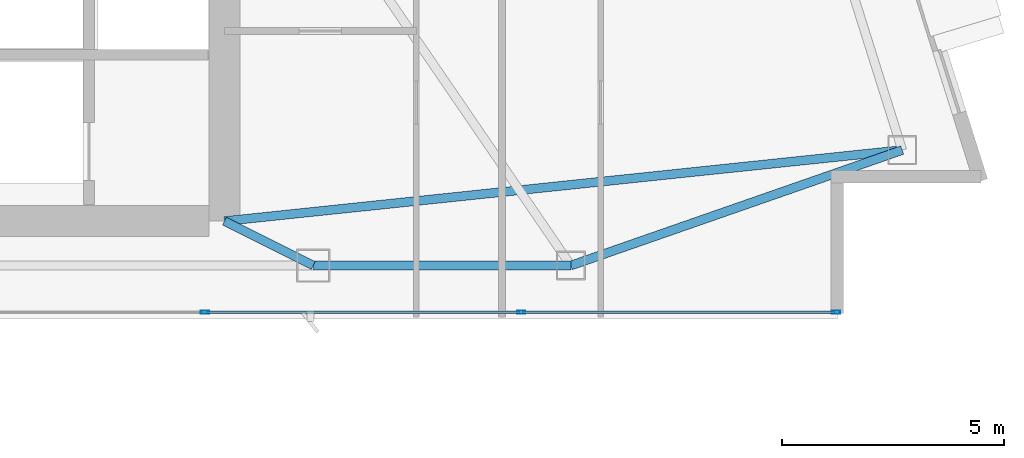
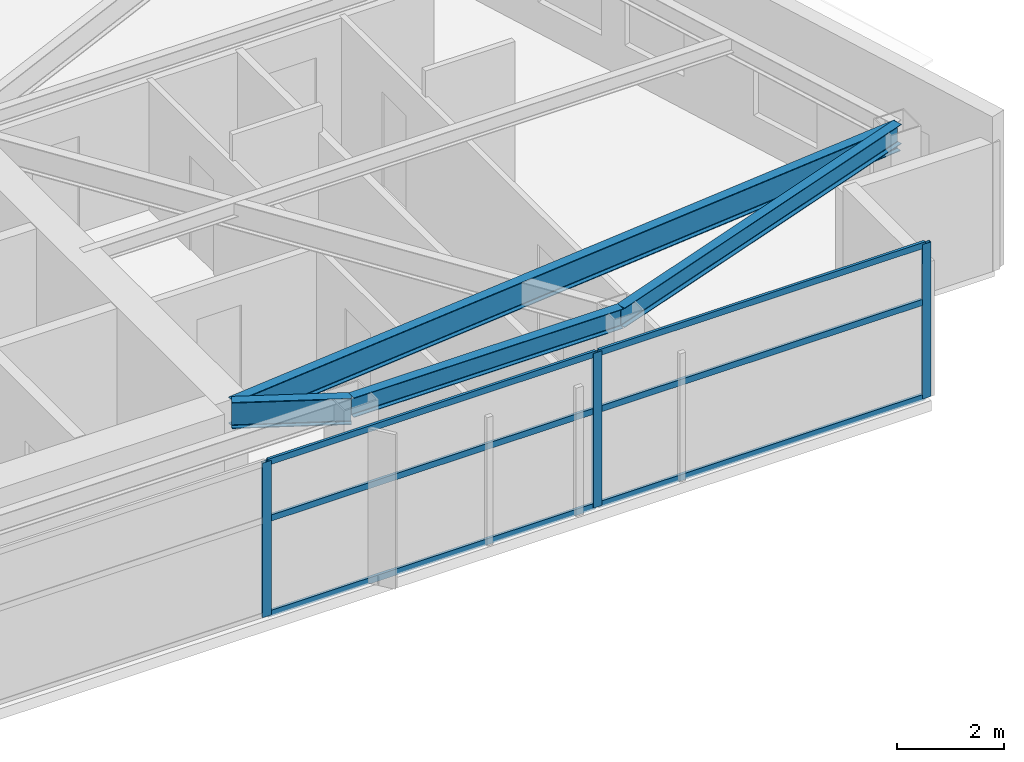
# One storey, part 13 of 27: 9 members, 4 beams, 1 element without a shape of its own.
"""IFC4 building model written with IfcOpenShell, lengths in metres."""

import ifcopenshell
import ifcopenshell.guid

model = None  # the IFC model being written
_history = None  # IfcOwnerHistory: only IFC2X3 demands one
_inside = {}  # id of a spatial element -> (the spatial element, [elements in it])
_under = {}  # id of a project, library or spatial element -> (it, [spatial elements below it])
_declared = {}  # id of a project -> (the project, [libraries it declares])
_typed = {}  # id of a type object -> (the type object, [elements of that type])
_made_of = {}  # id of a material, layer set ... -> (it, [elements and type objects made of it])


def new_model(schema):
    """Start an empty IFC model of exactly this schema.

    Asked for "IFC4X3", IfcOpenShell would pick the latest addendum, in which some entities
    have other attributes; the version numbers below select the first issue.
    IFC2X3 requires an IfcOwnerHistory on every rooted entity: one is made here for all.
    """
    global model, _history
    if schema == "IFC4X3":
        model = ifcopenshell.file(schema_version=(4, 3, 0, 0))
    else:
        model = ifcopenshell.file(schema=schema)
    _inside.clear()
    _under.clear()
    _declared.clear()
    _typed.clear()
    _made_of.clear()
    _history = None
    if model.schema == "IFC2X3":
        org = make("IfcOrganization", Name="unknown")
        user = make(
            "IfcPersonAndOrganization",
            ThePerson=make("IfcPerson", FamilyName="unknown"),
            TheOrganization=org,
        )
        app = make(
            "IfcApplication",
            ApplicationDeveloper=org,
            Version="unknown",
            ApplicationFullName="unknown",
            ApplicationIdentifier="unknown",
        )
        _history = make(
            "IfcOwnerHistory",
            OwningUser=user,
            OwningApplication=app,
            ChangeAction="ADDED",
            CreationDate=0,
        )
    return model


def make(cls, **values):
    """One entity of the class cls with the attributes given. An attribute that is None is left unset."""
    return model.create_entity(
        cls, **{name: value for name, value in values.items() if value is not None}
    )


def rooted(cls, **values):
    """An entity with a GlobalId (a new one), such as an element, a storey or a relation."""
    return make(cls, GlobalId=ifcopenshell.guid.new(), OwnerHistory=_history, **values)


def si_unit(unit_type, name, prefix=None):
    """IfcSIUnit, for example si_unit("LENGTHUNIT", "METRE", prefix="MILLI")."""
    return make("IfcSIUnit", UnitType=unit_type, Prefix=prefix, Name=name)


def assignment(units):
    """IfcUnitAssignment: the units of a project."""
    return None if units is None else make("IfcUnitAssignment", Units=units)


def point(xyz):
    """IfcCartesianPoint."""
    return None if xyz is None else make("IfcCartesianPoint", Coordinates=xyz)


def direction(xyz):
    """IfcDirection."""
    return None if xyz is None else make("IfcDirection", DirectionRatios=xyz)


def frame(location, z_axis=None, x_axis=None):
    """IfcAxis2Placement3D, a coordinate frame: its origin and axes. An axis left out is left unset."""
    return make(
        "IfcAxis2Placement3D",
        Location=point(location),
        Axis=direction(z_axis),
        RefDirection=direction(x_axis),
    )


def frame_2d(location, x_axis=None):
    """IfcAxis2Placement2D, a coordinate frame in the plane: its origin and x axis."""
    return make(
        "IfcAxis2Placement2D", Location=point(location), RefDirection=direction(x_axis)
    )


def origin():
    """The frame at (0, 0, 0) with its axes left unset."""
    return frame((0.0, 0.0, 0.0))


def origin_2d():
    """The frame at (0, 0) in the plane with its x axis left unset."""
    return frame_2d((0.0, 0.0))


def place(relative_to, where):
    """IfcLocalPlacement: puts the frame where relative to a parent placement (None: the world)."""
    return make(
        "IfcLocalPlacement", PlacementRelTo=relative_to, RelativePlacement=where
    )


def context(
    kind, dimensions, precision=None, world=None, true_north=None, identifier=None
):
    """IfcGeometricRepresentationContext, for example the 3D "Model" context."""
    return make(
        "IfcGeometricRepresentationContext",
        ContextIdentifier=identifier,
        ContextType=kind,
        CoordinateSpaceDimension=dimensions,
        Precision=precision,
        WorldCoordinateSystem=world,
        TrueNorth=true_north,
    )


def subcontext(parent, identifier, kind, view, scale=None):
    """IfcGeometricRepresentationSubContext, for example "Body" below "Model"."""
    return make(
        "IfcGeometricRepresentationSubContext",
        ContextIdentifier=identifier,
        ContextType=kind,
        ParentContext=parent,
        TargetScale=scale,
        TargetView=view,
    )


def project(units=None, contexts=None):
    """IfcProject with its units and contexts."""
    return rooted(
        "IfcProject",
        Name="project",
        RepresentationContexts=contexts,
        UnitsInContext=assignment(units),
    )


def spatial(cls, under=None, at=None, **own):
    """A site, building, storey or space (cls), placed at a placement, below another one or the project."""
    s = rooted(cls, ObjectPlacement=at, **own)
    if under is not None:
        _under.setdefault(under.id(), (under, []))[1].append(s)
    return s


def profile(cls, at=None, kind="AREA", **sizes):
    """A parametric profile (cls). Its sizes go by their IFC names, for example OverallWidth=200.0."""
    return make(cls, ProfileType=kind, Position=at, **sizes)


def hollow_rectangle(**sizes):
    """IfcRectangleHollowProfileDef."""
    return profile("IfcRectangleHollowProfileDef", **sizes)


def i_section(**sizes):
    """IfcIShapeProfileDef."""
    return profile("IfcIShapeProfileDef", **sizes)


def extrude(swept, where, along, depth):
    """IfcExtrudedAreaSolid: the profile swept, set in the frame where, extruded along a direction by depth."""
    return make(
        "IfcExtrudedAreaSolid",
        SweptArea=swept,
        Position=where,
        ExtrudedDirection=direction(along),
        Depth=depth,
    )


def shape(context_of_items, identifier, shape_type, items):
    """IfcShapeRepresentation: the items that make up one representation, for example the "Body"."""
    return make(
        "IfcShapeRepresentation",
        ContextOfItems=context_of_items,
        RepresentationIdentifier=identifier,
        RepresentationType=shape_type,
        Items=items,
    )


def material(Name=None, Category=None):
    """IfcMaterial."""
    return make("IfcMaterial", Name=Name, Category=Category)


def layer(
    of_material, thickness, ventilated=None, Name=None, Category=None, Priority=None
):
    """IfcMaterialLayer: one layer of a wall or slab, of a material (None: an air gap)."""
    return make(
        "IfcMaterialLayer",
        Material=of_material,
        LayerThickness=thickness,
        IsVentilated=ventilated,
        Name=Name,
        Category=Category,
        Priority=Priority,
    )


def layer_set(layers, Name=None):
    """IfcMaterialLayerSet."""
    return make("IfcMaterialLayerSet", MaterialLayers=layers, LayerSetName=Name)


def material_profile(
    of_material, cross_section, Name=None, Category=None, Priority=None
):
    """IfcMaterialProfile: a cross section and its material."""
    return make(
        "IfcMaterialProfile",
        Name=Name,
        Material=of_material,
        Profile=cross_section,
        Priority=Priority,
        Category=Category,
    )


def profile_set(profiles, Name=None, composite=None):
    """IfcMaterialProfileSet."""
    return make(
        "IfcMaterialProfileSet",
        Name=Name,
        MaterialProfiles=profiles,
        CompositeProfile=composite,
    )


def made_of(thing, what):
    """Note that an element or type object is made of a material, layer set ...; save() writes the relation."""
    if what is not None:
        _made_of.setdefault(what.id(), (what, []))[1].append(thing)
    return thing


def type_object(cls, material=None, **own):
    """A type object (cls), such as IfcWallType, which elements share."""
    return made_of(rooted(cls, **own), material)


def element(
    cls,
    number,
    at=None,
    inside=None,
    cuts=None,
    type_object=None,
    material=None,
    context=None,
    identifier="Body",
    shape_type=None,
    held_by="IfcProductDefinitionShape",
    body=None,
    shapes=None,
    **own,
):
    """One element of the class cls, such as IfcWall. Its Tag is "e" and its number.

    at: its placement. inside: the storey or other place that contains it. cuts: it is an
    opening in that element (IfcRelVoidsElement). A single representation is given by context,
    identifier, shape_type and body (its items); several are given by shapes. held_by: the class
    of the entity that holds the representations. save() writes the other relations.
    """
    e = rooted(cls, Tag="e%d" % number, ObjectPlacement=at, **own)
    if body is not None:
        shapes = [shape(context, identifier, shape_type, body)]
    if shapes is not None:
        e.Representation = make(held_by, Representations=shapes)
    if inside is not None:
        _inside.setdefault(inside.id(), (inside, []))[1].append(e)
    if cuts is not None:
        rooted(
            "IfcRelVoidsElement", RelatingBuildingElement=cuts, RelatedOpeningElement=e
        )
    if type_object is not None:
        _typed.setdefault(type_object.id(), (type_object, []))[1].append(e)
    return made_of(e, material)


def aggregate(whole, parts):
    """IfcRelAggregates: a whole, such as a stair, and the parts it consists of."""
    return rooted("IfcRelAggregates", RelatingObject=whole, RelatedObjects=parts)


def save(model, path):
    """Write the relations noted so far, then the file.

    IfcRelAggregates (storeys below a building ...), IfcRelContainedInSpatialStructure (elements
    in a storey), IfcRelDefinesByType, IfcRelAssociatesMaterial and IfcRelDeclares: one each for
    every whole, place, type object, material and project.
    """
    for whole, parts in _under.values():
        aggregate(whole, parts)
    for where, things in _inside.values():
        rooted(
            "IfcRelContainedInSpatialStructure",
            RelatedElements=things,
            RelatingStructure=where,
        )
    for kind, things in _typed.values():
        rooted("IfcRelDefinesByType", RelatedObjects=things, RelatingType=kind)
    for what, things in _made_of.values():
        rooted("IfcRelAssociatesMaterial", RelatedObjects=things, RelatingMaterial=what)
    for by, libraries in _declared.values():
        rooted("IfcRelDeclares", RelatingContext=by, RelatedDefinitions=libraries)
    model.write(path)


model = new_model("IFC4")

# Units and contexts
model_context = context("Model", 3, precision=1e-05, world=origin(), true_north=direction((0.0, 1.0)))
body_context = subcontext(model_context, "Body", "Model", "MODEL_VIEW")
ifc_project = project(units=[si_unit("LENGTHUNIT", "METRE"), si_unit("AREAUNIT", "SQUARE_METRE"), si_unit("VOLUMEUNIT", "CUBIC_METRE"), si_unit("PLANEANGLEUNIT", "RADIAN"), si_unit("MASSUNIT", "GRAM", prefix="KILO")], contexts=[model_context])

# Site, building, storey
site_placement = place(None, origin())
site = spatial("IfcSite", under=ifc_project, at=site_placement, CompositionType="ELEMENT")
building_placement = place(site_placement, origin())
building = spatial("IfcBuilding", under=site, at=building_placement, Name="Calvorn Quay Hotel", CompositionType="ELEMENT")
storey_placement = place(building_placement, frame((0.0, 0.0, 230.699951171875)))
storey = spatial("IfcBuildingStorey", under=building, at=storey_placement, Name="L57", CompositionType="ELEMENT", Elevation=230.699951171875)

# Beams
ifc_material_1 = material(Name="Steel Q355B", Category="steel")
ifc_material_profile_1 = material_profile(ifc_material_1, i_section(OverallWidth=0.199951171875, OverallDepth=0.60009765625, WebThickness=0.010986328125, FlangeThickness=0.01708984375, FilletRadius=0.01806640625, at=origin_2d()), Name="HN600x200x11x17")
ifc_profile_set_1 = profile_set([ifc_material_profile_1], Name="Steel Q355B")
beam_type_1 = type_object("IfcBeamType", Name="BM-GIRD-TYP", PredefinedType="BEAM", material=ifc_profile_set_1)
beam_1_placement = place(storey_placement, frame((34.39990234375, 3.60009765625, 3.219970703125), z_axis=(-0.894427191, 0.4472135955, 0.0), x_axis=(-0.4472135955, -0.894427191, 0.0)))
element("IfcBeam", 1, at=beam_1_placement, inside=storey, type_object=beam_type_1, Name="Beam BG-L57-S3", PredefinedType="BEAM", context=body_context, shape_type="SweptSolid", body=[
    extrude(i_section(OverallWidth=0.199951171875, OverallDepth=0.60009765625, WebThickness=0.010986328125, FlangeThickness=0.01708984375, FilletRadius=0.01806640625, at=origin_2d()), origin(), (0.0, 0.0, 1.0), 2.236083984375),
])
beam_2_placement = place(storey_placement, frame((32.39990234375, 4.60009765625, 3.219970703125), z_axis=(0.99454991229, 0.10426155554, 0.0), x_axis=(-0.10426155554, 0.99454991229, 0.0)))
element("IfcBeam", 2, at=beam_2_placement, inside=storey, type_object=beam_type_1, Name="Beam BG-L57-E1", PredefinedType="BEAM", context=body_context, shape_type="SweptSolid", body=[
    extrude(i_section(OverallWidth=0.199951171875, OverallDepth=0.60009765625, WebThickness=0.010986328125, FlangeThickness=0.01708984375, FilletRadius=0.01806640625, at=origin_2d()), origin(), (0.0, 0.0, 1.0), 15.3447265625),
])
ifc_material_2 = material(Name="Steel Q355B", Category="steel")
ifc_material_profile_2 = material_profile(ifc_material_2, i_section(OverallWidth=0.199951171875, OverallDepth=0.449951171875, WebThickness=0.009033203125, FlangeThickness=0.013916015625, FilletRadius=0.01611328125, at=origin_2d()), Name="HN450x200x9x14")
ifc_profile_set_2 = profile_set([ifc_material_profile_2], Name="Steel Q355B")
beam_type_2 = type_object("IfcBeamType", Name="BM-SPANDREL-Z3", PredefinedType="SPANDREL", material=ifc_profile_set_2)
beam_3_placement = place(storey_placement, frame((34.39990234375, 3.60009765625, 3.295166015625), z_axis=(1.0, 0.0, 0.0), x_axis=(0.0, 1.0, 0.0)))
element("IfcBeam", 3, at=beam_3_placement, inside=storey, type_object=beam_type_2, Name="Beam BSP-L57-S4", PredefinedType="SPANDREL", context=body_context, shape_type="SweptSolid", body=[
    extrude(i_section(OverallWidth=0.199951171875, OverallDepth=0.449951171875, WebThickness=0.009033203125, FlangeThickness=0.013916015625, FilletRadius=0.01611328125, at=origin_2d()), origin(), (0.0, 0.0, 1.0), 5.800048828125),
])
beam_4_placement = place(storey_placement, frame((40.199951171875, 3.60009765625, 3.295166015625), z_axis=(0.944310305586, 0.329056297257, 0.0), x_axis=(-0.329056297257, 0.944310305586, 0.0)))
element("IfcBeam", 4, at=beam_4_placement, inside=storey, type_object=beam_type_2, Name="Beam BSP-L57-S5", PredefinedType="SPANDREL", context=body_context, shape_type="SweptSolid", body=[
    extrude(i_section(OverallWidth=0.199951171875, OverallDepth=0.449951171875, WebThickness=0.009033203125, FlangeThickness=0.013916015625, FilletRadius=0.01611328125, at=origin_2d()), origin(), (0.0, 0.0, 1.0), 7.90087890625),
])

# Curtain wall, members
ifc_material_3 = material(Name="Champagne Bronze Anodised Aluminium and Low-E Glass", Category="aluminium")
ifc_layer = layer(ifc_material_3, 0.219970703125)
ifc_layer_set = layer_set([ifc_layer], Name="CW-SYS-Z3")
curtain_wall_type = type_object("IfcCurtainWallType", Name="CW-SYS-Z3", PredefinedType="NOTDEFINED", material=ifc_layer_set)
curtain_wall_placement = place(storey_placement, origin())
curtain_wall = element("IfcCurtainWall", 5, at=curtain_wall_placement, inside=storey, type_object=curtain_wall_type, Name="Tower South Waterfront Curtain Wall (L57)", PredefinedType="NOTDEFINED")
ifc_material_4 = material(Name="Champagne Bronze Anodised Aluminium 6063-T6", Category="aluminium")
ifc_material_profile_3 = material_profile(ifc_material_4, hollow_rectangle(XDim=0.068115234375, YDim=0.18505859375, WallThickness=0.00390625, at=origin_2d()), Name="ALU-M185x68x4")
ifc_profile_set_3 = profile_set([ifc_material_profile_3], Name="Champagne Bronze Anodised Aluminium 6063-T6")
member_type_1 = type_object("IfcMemberType", Name="CW-SYS-Z3-MUL", PredefinedType="MULLION", material=ifc_profile_set_3)
member_1_placement = place(storey_placement, frame((31.9599609375, 2.550048828125, 0.0), z_axis=(0.0, 0.0, 1.0), x_axis=(0.0, 1.0, 0.0)))
member_1 = element("IfcMember", 6, at=member_1_placement, type_object=member_type_1, Name="CW-L57-S mullion 4", PredefinedType="MULLION", context=body_context, shape_type="SweptSolid", body=[
    extrude(hollow_rectangle(XDim=0.068115234375, YDim=0.18505859375, WallThickness=0.00390625, at=origin_2d()), origin(), (0.0, 0.0, 1.0), 3.52001953125),
])
member_2_placement = place(storey_placement, frame((39.080078125, 2.550048828125, 0.0), z_axis=(0.0, 0.0, 1.0), x_axis=(0.0, 1.0, 0.0)))
member_2 = element("IfcMember", 7, at=member_2_placement, type_object=member_type_1, Name="CW-L57-S mullion 5", PredefinedType="MULLION", context=body_context, shape_type="SweptSolid", body=[
    extrude(hollow_rectangle(XDim=0.068115234375, YDim=0.18505859375, WallThickness=0.00390625, at=origin_2d()), origin(), (0.0, 0.0, 1.0), 3.52001953125),
])
member_3_placement = place(storey_placement, frame((46.169921875, 2.550048828125, 0.0), z_axis=(0.0, 0.0, 1.0), x_axis=(0.0, 1.0, 0.0)))
member_3 = element("IfcMember", 8, at=member_3_placement, type_object=member_type_1, Name="CW-L57-S mullion 6", PredefinedType="MULLION", context=body_context, shape_type="SweptSolid", body=[
    extrude(hollow_rectangle(XDim=0.068115234375, YDim=0.18505859375, WallThickness=0.00390625, at=origin_2d()), origin(), (0.0, 0.0, 1.0), 3.52001953125),
])
ifc_material_5 = material(Name="Champagne Bronze Anodised Aluminium 6063-T6", Category="aluminium")
ifc_material_profile_4 = material_profile(ifc_material_5, hollow_rectangle(XDim=0.05810546875, YDim=0.139892578125, WallThickness=0.003173828125, at=origin_2d()), Name="ALU-T140x58x3.2")
ifc_profile_set_4 = profile_set([ifc_material_profile_4], Name="Champagne Bronze Anodised Aluminium 6063-T6")
member_type_2 = type_object("IfcMemberType", Name="CW-SYS-Z3-TRN", PredefinedType="USERDEFINED", material=ifc_profile_set_4)
member_4_placement = place(storey_placement, frame((31.989990234375, 2.550048828125, 0.030029296875), z_axis=(1.0, 0.0, 0.0), x_axis=(0.0, 1.0, 0.0)))
member_4 = element("IfcMember", 9, at=member_4_placement, type_object=member_type_2, Name="CW-L57-S transom 4.1", ObjectType="TRANSOM", PredefinedType="USERDEFINED", context=body_context, shape_type="SweptSolid", body=[
    extrude(hollow_rectangle(XDim=0.05810546875, YDim=0.139892578125, WallThickness=0.003173828125, at=origin_2d()), origin(), (0.0, 0.0, 1.0), 7.06005859375),
])
member_5_placement = place(storey_placement, frame((31.989990234375, 2.550048828125, 2.199951171875), z_axis=(1.0, 0.0, 0.0), x_axis=(0.0, 1.0, 0.0)))
member_5 = element("IfcMember", 10, at=member_5_placement, type_object=member_type_2, Name="CW-L57-S transom 4.2", ObjectType="TRANSOM", PredefinedType="USERDEFINED", context=body_context, shape_type="SweptSolid", body=[
    extrude(hollow_rectangle(XDim=0.05810546875, YDim=0.139892578125, WallThickness=0.003173828125, at=origin_2d()), origin(), (0.0, 0.0, 1.0), 7.06005859375),
])
member_6_placement = place(storey_placement, frame((31.989990234375, 2.550048828125, 3.489990234375), z_axis=(1.0, 0.0, 0.0), x_axis=(0.0, 1.0, 0.0)))
member_6 = element("IfcMember", 11, at=member_6_placement, type_object=member_type_2, Name="CW-L57-S transom 4.3", ObjectType="TRANSOM", PredefinedType="USERDEFINED", context=body_context, shape_type="SweptSolid", body=[
    extrude(hollow_rectangle(XDim=0.05810546875, YDim=0.139892578125, WallThickness=0.003173828125, at=origin_2d()), origin(), (0.0, 0.0, 1.0), 7.06005859375),
])
member_7_placement = place(storey_placement, frame((39.110107421875, 2.550048828125, 0.030029296875), z_axis=(1.0, 0.0, 0.0), x_axis=(0.0, 1.0, 0.0)))
member_7 = element("IfcMember", 12, at=member_7_placement, type_object=member_type_2, Name="CW-L57-S transom 5.1", ObjectType="TRANSOM", PredefinedType="USERDEFINED", context=body_context, shape_type="SweptSolid", body=[
    extrude(hollow_rectangle(XDim=0.05810546875, YDim=0.139892578125, WallThickness=0.003173828125, at=origin_2d()), origin(), (0.0, 0.0, 1.0), 7.02978515625),
])
member_8_placement = place(storey_placement, frame((39.110107421875, 2.550048828125, 2.199951171875), z_axis=(1.0, 0.0, 0.0), x_axis=(0.0, 1.0, 0.0)))
member_8 = element("IfcMember", 13, at=member_8_placement, type_object=member_type_2, Name="CW-L57-S transom 5.2", ObjectType="TRANSOM", PredefinedType="USERDEFINED", context=body_context, shape_type="SweptSolid", body=[
    extrude(hollow_rectangle(XDim=0.05810546875, YDim=0.139892578125, WallThickness=0.003173828125, at=origin_2d()), origin(), (0.0, 0.0, 1.0), 7.02978515625),
])
member_9_placement = place(storey_placement, frame((39.110107421875, 2.550048828125, 3.489990234375), z_axis=(1.0, 0.0, 0.0), x_axis=(0.0, 1.0, 0.0)))
member_9 = element("IfcMember", 14, at=member_9_placement, type_object=member_type_2, Name="CW-L57-S transom 5.3", ObjectType="TRANSOM", PredefinedType="USERDEFINED", context=body_context, shape_type="SweptSolid", body=[
    extrude(hollow_rectangle(XDim=0.05810546875, YDim=0.139892578125, WallThickness=0.003173828125, at=origin_2d()), origin(), (0.0, 0.0, 1.0), 7.02978515625),
])
aggregate(curtain_wall, [member_1, member_2, member_3, member_4, member_5, member_6, member_7, member_8, member_9])

save(model, "model.ifc")
